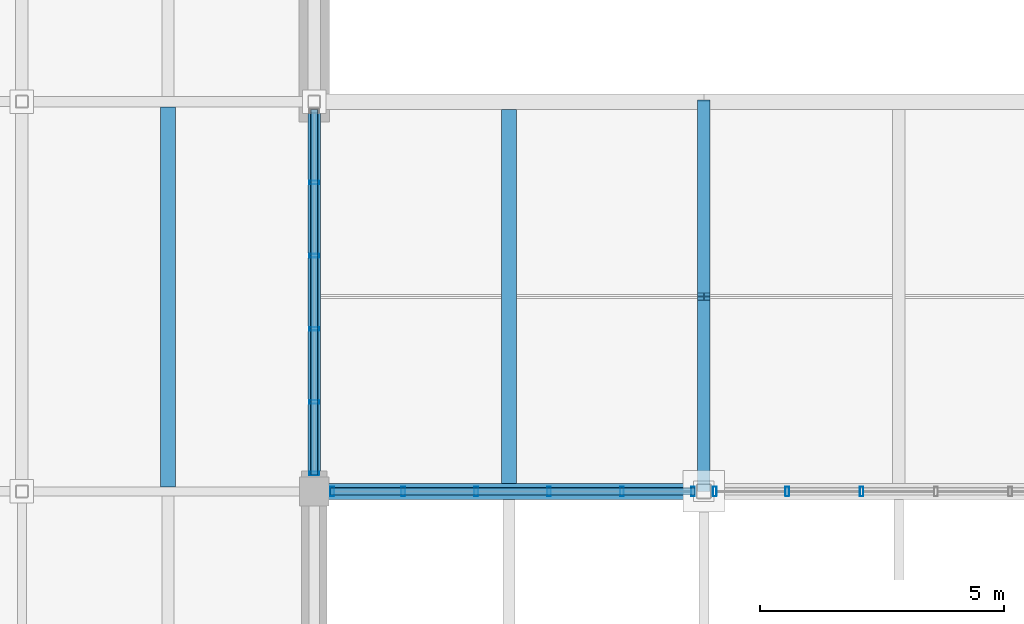
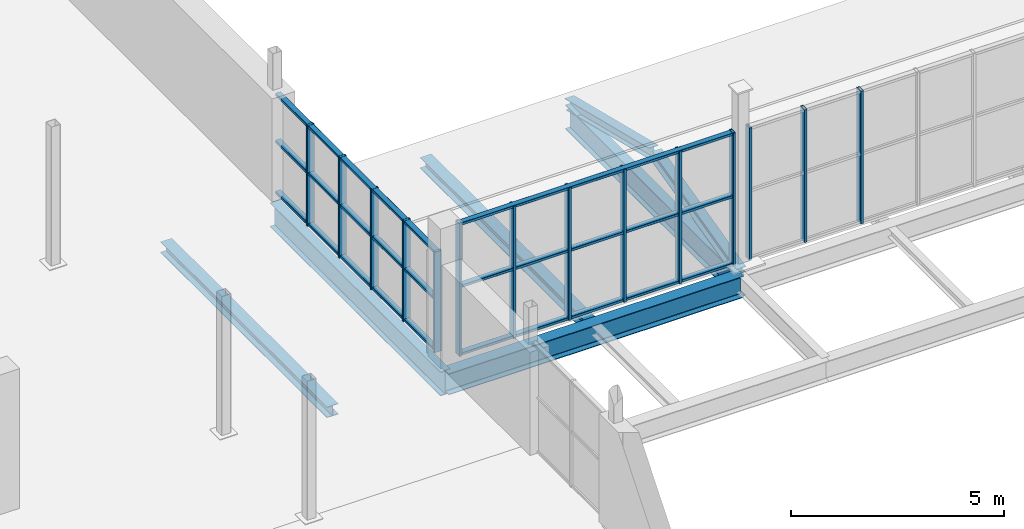
# One storey, part 33 of 96: 22 members, 5 beams, 3 elements without a shape of their own.
"""IFC4 building model written with IfcOpenShell, lengths in metres."""

from ifc_helpers import new_model, si_unit, direction, frame, origin, origin_2d, place, context, subcontext, project, spatial, hollow_rectangle, i_section, extrude, material, material_profile, profile_set, type_object, element, aggregate, save


model = new_model("IFC4")

# Units and contexts
model_context = context("Model", 3, precision=1e-05, world=origin(), true_north=direction((0.0, 1.0)))
body_context = subcontext(model_context, "Body", "Model", "MODEL_VIEW")
ifc_project = project(units=[si_unit("LENGTHUNIT", "METRE"), si_unit("AREAUNIT", "SQUARE_METRE"), si_unit("VOLUMEUNIT", "CUBIC_METRE"), si_unit("PLANEANGLEUNIT", "RADIAN"), si_unit("MASSUNIT", "GRAM", prefix="KILO")], contexts=[model_context])

# Site, building, storey
site_placement = place(None, origin())
site = spatial("IfcSite", under=ifc_project, at=site_placement, CompositionType="ELEMENT")
building_placement = place(site_placement, origin())
building = spatial("IfcBuilding", under=site, at=building_placement, Name="Verrall Gate Interchange", CompositionType="ELEMENT")
storey_placement = place(building_placement, frame((0.0, 0.0, 11.39990234375)))
storey = spatial("IfcBuildingStorey", under=building, at=storey_placement, Name="L03", CompositionType="ELEMENT", Elevation=11.39990234375)

# Beams
ifc_material_1 = material(Name="Structural Steel CSA G40.21 350WT Cat 4", Category="steel")
ifc_material_profile_1 = material_profile(ifc_material_1, i_section(OverallWidth=0.256103515625, OverallDepth=0.693115234375, WebThickness=0.01318359375, FlangeThickness=0.02001953125, FilletRadius=0.01611328125, at=origin_2d()), Name="W690x170")
ifc_profile_set_1 = profile_set([ifc_material_profile_1], Name="Structural Steel CSA G40.21 350WT Cat 4")
beam_type_1 = type_object("IfcBeamType", Name="B-07 Structural Beam W690x170", PredefinedType="BEAM", material=ifc_profile_set_1)
for number, where, z_axis, x_axis, name in (
    (1, (36.0, 48.0, -0.676513671875), (0.0, 1.0, 0.0), (-1.0, 0.0, 0.0), "L03 Girder BM-L03-2267 (B-07)"),
    (2, (44.0, 48.0, -0.676513671875), (0.0, 1.0, 0.0), (-1.0, 0.0, 0.0), "L03 Girder BM-L03-2276 (B-07)"),
):
    element("IfcBeam", number, at=place(storey_placement, frame(where, z_axis=z_axis, x_axis=x_axis)), inside=storey, type_object=beam_type_1, Name=name, PredefinedType="BEAM", context=body_context, shape_type="SweptSolid", body=[
        extrude(i_section(OverallWidth=0.256103515625, OverallDepth=0.693115234375, WebThickness=0.01318359375, FlangeThickness=0.02001953125, FilletRadius=0.01611328125, at=origin_2d()), origin(), (0.0, 0.0, 1.0), 8.0),
    ])
ifc_material_2 = material(Name="Structural Steel CSA G40.21 350WT Cat 4", Category="steel")
ifc_material_profile_2 = material_profile(ifc_material_2, i_section(OverallWidth=0.323974609375, OverallDepth=0.611083984375, WebThickness=0.0126953125, FlangeThickness=0.01904296875, FilletRadius=0.014892578125, at=origin_2d()), Name="W610x155")
ifc_profile_set_2 = profile_set([ifc_material_profile_2], Name="Structural Steel CSA G40.21 350WT Cat 4")
beam_type_2 = type_object("IfcBeamType", Name="B-08 Structural Beam W610x155", PredefinedType="BEAM", material=ifc_profile_set_2)
beam_1_placement = place(storey_placement, frame((36.0, 48.0, -0.635498046875), z_axis=(1.0, 0.0, 0.0), x_axis=(0.0, 1.0, 0.0)))
element("IfcBeam", 3, at=beam_1_placement, inside=storey, type_object=beam_type_2, Name="L03 Girder BM-L03-2110 (B-08)", PredefinedType="BEAM", context=body_context, shape_type="SweptSolid", body=[
    extrude(i_section(OverallWidth=0.323974609375, OverallDepth=0.611083984375, WebThickness=0.0126953125, FlangeThickness=0.01904296875, FilletRadius=0.014892578125, at=origin_2d()), origin(), (0.0, 0.0, 1.0), 8.0),
])

# Curtain wall, members
ifc_material_3 = material(Name="Thermally Broken Anodized Aluminium Curtain Wall Framing", Category="aluminium")
curtain_wall_type_1 = type_object("IfcCurtainWallType", Name="CW-33 Unitized Curtain Wall 7509x2880", PredefinedType="NOTDEFINED", material=ifc_material_3)
curtain_wall_1_placement = place(storey_placement, origin())
curtain_wall_1 = element("IfcCurtainWall", 4, at=curtain_wall_1_placement, inside=storey, type_object=curtain_wall_type_1, Name="L03 Unitized Curtain Wall CW-L03-107", PredefinedType="NOTDEFINED")
ifc_material_4 = material(Name="Thermally Broken Anodized Aluminium Curtain Wall Framing", Category="aluminium")
ifc_material_profile_3 = material_profile(ifc_material_4, hollow_rectangle(XDim=0.074951171875, YDim=0.199951171875, WallThickness=0.0048828125, InnerFilletRadius=0.0048828125, OuterFilletRadius=0.010009765625, at=origin_2d()), Name="CWM200x75x5")
ifc_profile_set_3 = profile_set([ifc_material_profile_3], Name="Thermally Broken Anodized Aluminium Curtain Wall Framing")
member_type_1 = type_object("IfcMemberType", Name="CM-02 Curtain Mullion CWM200x75x5", PredefinedType="MULLION", material=ifc_profile_set_3)
member_1_placement = place(storey_placement, frame((36.0, 48.369384765625, 0.0), z_axis=(0.0, 0.0, 1.0), x_axis=(0.0, 1.0, 0.0)))
member_1 = element("IfcMember", 5, at=member_1_placement, type_object=member_type_1, Name="CW-L03-107 Mullion 1", PredefinedType="MULLION", context=body_context, shape_type="SweptSolid", body=[
    extrude(hollow_rectangle(XDim=0.074951171875, YDim=0.199951171875, WallThickness=0.0048828125, InnerFilletRadius=0.0048828125, OuterFilletRadius=0.010009765625, at=origin_2d()), origin(), (0.0, 0.0, 1.0), 2.880126953125),
])
member_2_placement = place(storey_placement, frame((36.0, 49.833740234375, 0.0), z_axis=(0.0, 0.0, 1.0), x_axis=(0.0, 1.0, 0.0)))
member_2 = element("IfcMember", 6, at=member_2_placement, type_object=member_type_1, Name="CW-L03-107 Mullion 2", PredefinedType="MULLION", context=body_context, shape_type="SweptSolid", body=[
    extrude(hollow_rectangle(XDim=0.074951171875, YDim=0.199951171875, WallThickness=0.0048828125, InnerFilletRadius=0.0048828125, OuterFilletRadius=0.010009765625, at=origin_2d()), origin(), (0.0, 0.0, 1.0), 2.880126953125),
])
member_3_placement = place(storey_placement, frame((36.0, 51.335693359375, 0.0), z_axis=(0.0, 0.0, 1.0), x_axis=(0.0, 1.0, 0.0)))
member_3 = element("IfcMember", 7, at=member_3_placement, type_object=member_type_1, Name="CW-L03-107 Mullion 3", PredefinedType="MULLION", context=body_context, shape_type="SweptSolid", body=[
    extrude(hollow_rectangle(XDim=0.074951171875, YDim=0.199951171875, WallThickness=0.0048828125, InnerFilletRadius=0.0048828125, OuterFilletRadius=0.010009765625, at=origin_2d()), origin(), (0.0, 0.0, 1.0), 2.880126953125),
])
member_4_placement = place(storey_placement, frame((36.0, 52.83740234375, 0.0), z_axis=(0.0, 0.0, 1.0), x_axis=(0.0, 1.0, 0.0)))
member_4 = element("IfcMember", 8, at=member_4_placement, type_object=member_type_1, Name="CW-L03-107 Mullion 4", PredefinedType="MULLION", context=body_context, shape_type="SweptSolid", body=[
    extrude(hollow_rectangle(XDim=0.074951171875, YDim=0.199951171875, WallThickness=0.0048828125, InnerFilletRadius=0.0048828125, OuterFilletRadius=0.010009765625, at=origin_2d()), origin(), (0.0, 0.0, 1.0), 2.880126953125),
])
member_5_placement = place(storey_placement, frame((36.0, 54.339111328125, 0.0), z_axis=(0.0, 0.0, 1.0), x_axis=(0.0, 1.0, 0.0)))
member_5 = element("IfcMember", 9, at=member_5_placement, type_object=member_type_1, Name="CW-L03-107 Mullion 5", PredefinedType="MULLION", context=body_context, shape_type="SweptSolid", body=[
    extrude(hollow_rectangle(XDim=0.074951171875, YDim=0.199951171875, WallThickness=0.0048828125, InnerFilletRadius=0.0048828125, OuterFilletRadius=0.010009765625, at=origin_2d()), origin(), (0.0, 0.0, 1.0), 2.880126953125),
])

ifc_material_5 = material(Name="Thermally Broken Anodized Aluminium Curtain Wall Framing", Category="aluminium")
curtain_wall_type_2 = type_object("IfcCurtainWallType", Name="CW-52 Unitized Curtain Wall 7484x3800", PredefinedType="NOTDEFINED", material=ifc_material_5)
curtain_wall_2_placement = place(storey_placement, origin())
curtain_wall_2 = element("IfcCurtainWall", 10, at=curtain_wall_2_placement, inside=storey, type_object=curtain_wall_type_2, Name="L03 Unitized Curtain Wall CW-L03-CLR-173", PredefinedType="NOTDEFINED")
member_6_placement = place(storey_placement, frame((36.369384765625, 48.0, 0.0), z_axis=(0.0, 0.0, 1.0), x_axis=(1.0, 0.0, 0.0)))
member_6 = element("IfcMember", 11, at=member_6_placement, type_object=member_type_1, Name="CW-L03-CLR-173 Mullion 1", PredefinedType="MULLION", context=body_context, shape_type="SweptSolid", body=[
    extrude(hollow_rectangle(XDim=0.074951171875, YDim=0.199951171875, WallThickness=0.0048828125, InnerFilletRadius=0.0048828125, OuterFilletRadius=0.010009765625, at=origin_2d()), origin(), (0.0, 0.0, 1.0), 3.800048828125),
])
member_7_placement = place(storey_placement, frame((37.82861328125, 48.0, 0.0), z_axis=(0.0, 0.0, 1.0), x_axis=(1.0, 0.0, 0.0)))
member_7 = element("IfcMember", 12, at=member_7_placement, type_object=member_type_1, Name="CW-L03-CLR-173 Mullion 2", PredefinedType="MULLION", context=body_context, shape_type="SweptSolid", body=[
    extrude(hollow_rectangle(XDim=0.074951171875, YDim=0.199951171875, WallThickness=0.0048828125, InnerFilletRadius=0.0048828125, OuterFilletRadius=0.010009765625, at=origin_2d()), origin(), (0.0, 0.0, 1.0), 3.800048828125),
])
member_8_placement = place(storey_placement, frame((39.325439453125, 48.0, 0.0), z_axis=(0.0, 0.0, 1.0), x_axis=(1.0, 0.0, 0.0)))
member_8 = element("IfcMember", 13, at=member_8_placement, type_object=member_type_1, Name="CW-L03-CLR-173 Mullion 3", PredefinedType="MULLION", context=body_context, shape_type="SweptSolid", body=[
    extrude(hollow_rectangle(XDim=0.074951171875, YDim=0.199951171875, WallThickness=0.0048828125, InnerFilletRadius=0.0048828125, OuterFilletRadius=0.010009765625, at=origin_2d()), origin(), (0.0, 0.0, 1.0), 3.800048828125),
])
member_9_placement = place(storey_placement, frame((40.822021484375, 48.0, 0.0), z_axis=(0.0, 0.0, 1.0), x_axis=(1.0, 0.0, 0.0)))
member_9 = element("IfcMember", 14, at=member_9_placement, type_object=member_type_1, Name="CW-L03-CLR-173 Mullion 4", PredefinedType="MULLION", context=body_context, shape_type="SweptSolid", body=[
    extrude(hollow_rectangle(XDim=0.074951171875, YDim=0.199951171875, WallThickness=0.0048828125, InnerFilletRadius=0.0048828125, OuterFilletRadius=0.010009765625, at=origin_2d()), origin(), (0.0, 0.0, 1.0), 3.800048828125),
])
member_10_placement = place(storey_placement, frame((42.31884765625, 48.0, 0.0), z_axis=(0.0, 0.0, 1.0), x_axis=(1.0, 0.0, 0.0)))
member_10 = element("IfcMember", 15, at=member_10_placement, type_object=member_type_1, Name="CW-L03-CLR-173 Mullion 5", PredefinedType="MULLION", context=body_context, shape_type="SweptSolid", body=[
    extrude(hollow_rectangle(XDim=0.074951171875, YDim=0.199951171875, WallThickness=0.0048828125, InnerFilletRadius=0.0048828125, OuterFilletRadius=0.010009765625, at=origin_2d()), origin(), (0.0, 0.0, 1.0), 3.800048828125),
])
member_11_placement = place(storey_placement, frame((43.778076171875, 48.0, 0.0), z_axis=(0.0, 0.0, 1.0), x_axis=(1.0, 0.0, 0.0)))
member_11 = element("IfcMember", 16, at=member_11_placement, type_object=member_type_1, Name="CW-L03-CLR-173 Mullion 6", PredefinedType="MULLION", context=body_context, shape_type="SweptSolid", body=[
    extrude(hollow_rectangle(XDim=0.074951171875, YDim=0.199951171875, WallThickness=0.0048828125, InnerFilletRadius=0.0048828125, OuterFilletRadius=0.010009765625, at=origin_2d()), origin(), (0.0, 0.0, 1.0), 3.800048828125),
])

ifc_material_6 = material(Name="Thermally Broken Anodized Aluminium Curtain Wall Framing", Category="aluminium")
curtain_wall_type_3 = type_object("IfcCurtainWallType", Name="CW-53 Unitized Curtain Wall 7631x3800", PredefinedType="NOTDEFINED", material=ifc_material_6)
curtain_wall_3_placement = place(storey_placement, origin())
curtain_wall_3 = element("IfcCurtainWall", 17, at=curtain_wall_3_placement, inside=storey, type_object=curtain_wall_type_3, Name="L03 Unitized Curtain Wall CW-L03-CLR-174", PredefinedType="NOTDEFINED")
member_12_placement = place(storey_placement, frame((44.221923828125, 48.0, 0.0), z_axis=(0.0, 0.0, 1.0), x_axis=(1.0, 0.0, 0.0)))
member_12 = element("IfcMember", 18, at=member_12_placement, type_object=member_type_1, Name="CW-L03-CLR-174 Mullion 1", PredefinedType="MULLION", context=body_context, shape_type="SweptSolid", body=[
    extrude(hollow_rectangle(XDim=0.074951171875, YDim=0.199951171875, WallThickness=0.0048828125, InnerFilletRadius=0.0048828125, OuterFilletRadius=0.010009765625, at=origin_2d()), origin(), (0.0, 0.0, 1.0), 3.800048828125),
])
member_13_placement = place(storey_placement, frame((45.710693359375, 48.0, 0.0), z_axis=(0.0, 0.0, 1.0), x_axis=(1.0, 0.0, 0.0)))
member_13 = element("IfcMember", 19, at=member_13_placement, type_object=member_type_1, Name="CW-L03-CLR-174 Mullion 2", PredefinedType="MULLION", context=body_context, shape_type="SweptSolid", body=[
    extrude(hollow_rectangle(XDim=0.074951171875, YDim=0.199951171875, WallThickness=0.0048828125, InnerFilletRadius=0.0048828125, OuterFilletRadius=0.010009765625, at=origin_2d()), origin(), (0.0, 0.0, 1.0), 3.800048828125),
])
member_14_placement = place(storey_placement, frame((47.23681640625, 48.0, 0.0), z_axis=(0.0, 0.0, 1.0), x_axis=(1.0, 0.0, 0.0)))
member_14 = element("IfcMember", 20, at=member_14_placement, type_object=member_type_1, Name="CW-L03-CLR-174 Mullion 3", PredefinedType="MULLION", context=body_context, shape_type="SweptSolid", body=[
    extrude(hollow_rectangle(XDim=0.074951171875, YDim=0.199951171875, WallThickness=0.0048828125, InnerFilletRadius=0.0048828125, OuterFilletRadius=0.010009765625, at=origin_2d()), origin(), (0.0, 0.0, 1.0), 3.800048828125),
])
aggregate(curtain_wall_3, [member_12, member_13, member_14])

# Member
ifc_material_7 = material(Name="Thermally Broken Anodized Aluminium Curtain Wall Framing", Category="aluminium")
ifc_material_profile_4 = material_profile(ifc_material_7, hollow_rectangle(XDim=0.14990234375, YDim=0.074951171875, WallThickness=0.00439453125, InnerFilletRadius=0.00439453125, OuterFilletRadius=0.009033203125, at=origin_2d()), Name="CWT150x75x4.5")
ifc_profile_set_4 = profile_set([ifc_material_profile_4], Name="Thermally Broken Anodized Aluminium Curtain Wall Framing")
member_type_2 = type_object("IfcMemberType", Name="CT-02 Curtain Transom CWT150x75x4.5", PredefinedType="USERDEFINED", material=ifc_profile_set_4)
member_15_placement = place(storey_placement, frame((36.0, 48.33203125, 0.03759765625), z_axis=(0.0, 1.0, 0.0), x_axis=(-1.0, 0.0, 0.0)))
member_15 = element("IfcMember", 21, at=member_15_placement, type_object=member_type_2, Name="CW-L03-107 Transom 1", ObjectType="TRANSOM", PredefinedType="USERDEFINED", context=body_context, shape_type="SweptSolid", body=[
    extrude(hollow_rectangle(XDim=0.14990234375, YDim=0.074951171875, WallThickness=0.00439453125, InnerFilletRadius=0.00439453125, OuterFilletRadius=0.009033203125, at=origin_2d()), origin(), (0.0, 0.0, 1.0), 7.509033203125),
])

member_16_placement = place(storey_placement, frame((36.0, 48.33203125, 1.497802734375), z_axis=(0.0, 1.0, 0.0), x_axis=(-1.0, 0.0, 0.0)))
member_16 = element("IfcMember", 22, at=member_16_placement, type_object=member_type_2, Name="CW-L03-107 Transom 2", ObjectType="TRANSOM", PredefinedType="USERDEFINED", context=body_context, shape_type="SweptSolid", body=[
    extrude(hollow_rectangle(XDim=0.14990234375, YDim=0.074951171875, WallThickness=0.00439453125, InnerFilletRadius=0.00439453125, OuterFilletRadius=0.009033203125, at=origin_2d()), origin(), (0.0, 0.0, 1.0), 7.509033203125),
])

member_17_placement = place(storey_placement, frame((36.0, 48.33203125, 2.842529296875), z_axis=(0.0, 1.0, 0.0), x_axis=(-1.0, 0.0, 0.0)))
member_17 = element("IfcMember", 23, at=member_17_placement, type_object=member_type_2, Name="CW-L03-107 Transom 3", ObjectType="TRANSOM", PredefinedType="USERDEFINED", context=body_context, shape_type="SweptSolid", body=[
    extrude(hollow_rectangle(XDim=0.14990234375, YDim=0.074951171875, WallThickness=0.00439453125, InnerFilletRadius=0.00439453125, OuterFilletRadius=0.009033203125, at=origin_2d()), origin(), (0.0, 0.0, 1.0), 7.509033203125),
])

aggregate(curtain_wall_1, [member_1, member_2, member_3, member_4, member_5, member_15, member_16, member_17])

member_18_placement = place(storey_placement, frame((36.33203125, 48.0, 0.03759765625), z_axis=(1.0, 0.0, 0.0), x_axis=(0.0, 1.0, 0.0)))
member_18 = element("IfcMember", 24, at=member_18_placement, type_object=member_type_2, Name="CW-L03-CLR-173 Transom 1", ObjectType="TRANSOM", PredefinedType="USERDEFINED", context=body_context, shape_type="SweptSolid", body=[
    extrude(hollow_rectangle(XDim=0.14990234375, YDim=0.074951171875, WallThickness=0.00439453125, InnerFilletRadius=0.00439453125, OuterFilletRadius=0.009033203125, at=origin_2d()), origin(), (0.0, 0.0, 1.0), 7.4833984375),
])

member_19_placement = place(storey_placement, frame((36.33203125, 48.0, 1.97607421875), z_axis=(1.0, 0.0, 0.0), x_axis=(0.0, 1.0, 0.0)))
member_19 = element("IfcMember", 25, at=member_19_placement, type_object=member_type_2, Name="CW-L03-CLR-173 Transom 2", ObjectType="TRANSOM", PredefinedType="USERDEFINED", context=body_context, shape_type="SweptSolid", body=[
    extrude(hollow_rectangle(XDim=0.14990234375, YDim=0.074951171875, WallThickness=0.00439453125, InnerFilletRadius=0.00439453125, OuterFilletRadius=0.009033203125, at=origin_2d()), origin(), (0.0, 0.0, 1.0), 7.4833984375),
])

member_20_placement = place(storey_placement, frame((36.33203125, 48.0, 3.7626953125), z_axis=(1.0, 0.0, 0.0), x_axis=(0.0, 1.0, 0.0)))
member_20 = element("IfcMember", 26, at=member_20_placement, type_object=member_type_2, Name="CW-L03-CLR-173 Transom 3", ObjectType="TRANSOM", PredefinedType="USERDEFINED", context=body_context, shape_type="SweptSolid", body=[
    extrude(hollow_rectangle(XDim=0.14990234375, YDim=0.074951171875, WallThickness=0.00439453125, InnerFilletRadius=0.00439453125, OuterFilletRadius=0.009033203125, at=origin_2d()), origin(), (0.0, 0.0, 1.0), 7.4833984375),
])

aggregate(curtain_wall_2, [member_6, member_7, member_8, member_9, member_10, member_11, member_18, member_19, member_20])

# Beams
ifc_material_8 = material(Name="Structural Steel CSA G40.21 350W", Category="steel")
ifc_material_profile_5 = material_profile(ifc_material_8, i_section(OverallWidth=0.306884765625, OverallDepth=0.31396484375, WebThickness=0.011962890625, FlangeThickness=0.018798828125, FilletRadius=0.013916015625, at=origin_2d()), Name="W310x118")
ifc_profile_set_5 = profile_set([ifc_material_profile_5], Name="Structural Steel CSA G40.21 350W")
beam_type_3 = type_object("IfcBeamType", Name="J-02 Floor Joist W310x118", PredefinedType="JOIST", material=ifc_profile_set_5)
beam_2_placement = place(storey_placement, frame((33.0, 48.089599609375, -0.48681640625), z_axis=(0.0, 1.0, 0.0), x_axis=(-1.0, 0.0, 0.0)))
element("IfcBeam", 27, at=beam_2_placement, inside=storey, type_object=beam_type_3, Name="L03 Secondary Floor Joist JST-L03-2482", PredefinedType="JOIST", context=body_context, shape_type="SweptSolid", body=[
    extrude(i_section(OverallWidth=0.306884765625, OverallDepth=0.31396484375, WebThickness=0.011962890625, FlangeThickness=0.018798828125, FilletRadius=0.013916015625, at=origin_2d()), origin(), (0.0, 0.0, 1.0), 7.804931640625),
])
beam_3_placement = place(storey_placement, frame((40.0, 48.162109375, -0.48681640625), z_axis=(0.0, 1.0, 0.0), x_axis=(-1.0, 0.0, 0.0)))
element("IfcBeam", 28, at=beam_3_placement, inside=storey, type_object=beam_type_3, Name="L03 Secondary Floor Joist JST-L03-2483", PredefinedType="JOIST", context=body_context, shape_type="SweptSolid", body=[
    extrude(i_section(OverallWidth=0.306884765625, OverallDepth=0.31396484375, WebThickness=0.011962890625, FlangeThickness=0.018798828125, FilletRadius=0.013916015625, at=origin_2d()), origin(), (0.0, 0.0, 1.0), 7.67578125),
])

# Members
ifc_material_9 = material(Name="Structural Steel CSA G40.21 350WT Cat 4", Category="steel")
ifc_material_profile_6 = material_profile(ifc_material_9, i_section(OverallWidth=0.25390625, OverallDepth=0.305908203125, WebThickness=0.0087890625, FlangeThickness=0.0146484375, FilletRadius=0.012939453125, at=origin_2d()), Name="W310x79")
ifc_profile_set_6 = profile_set([ifc_material_profile_6], Name="Structural Steel CSA G40.21 350WT Cat 4")
member_type_3 = type_object("IfcMemberType", Name="RF-03 Folded Roof Rafter W310x79", PredefinedType="RAFTER", material=ifc_profile_set_6)
for number, where, z_axis, x_axis, name in (
    (29, (44.0, 48.0, -0.31982421875), (0.0, 0.970717098228, 0.240225550696), (-1.0, 0.0, 0.0), "Gallery Roof Rafter S 44"),
    (30, (44.0, 56.0, -0.31982421875), (0.0, -0.970717098228, 0.240225550696), (1.0, 0.0, 0.0), "Gallery Roof Rafter N 44"),
):
    element("IfcMember", number, at=place(storey_placement, frame(where, z_axis=z_axis, x_axis=x_axis)), inside=storey, type_object=member_type_3, Name=name, PredefinedType="RAFTER", context=body_context, shape_type="SweptSolid", body=[
        extrude(i_section(OverallWidth=0.25390625, OverallDepth=0.305908203125, WebThickness=0.0087890625, FlangeThickness=0.0146484375, FilletRadius=0.012939453125, at=origin_2d()), origin(), (0.0, 0.0, 1.0), 4.079345703125),
    ])

save(model, "model.ifc")
